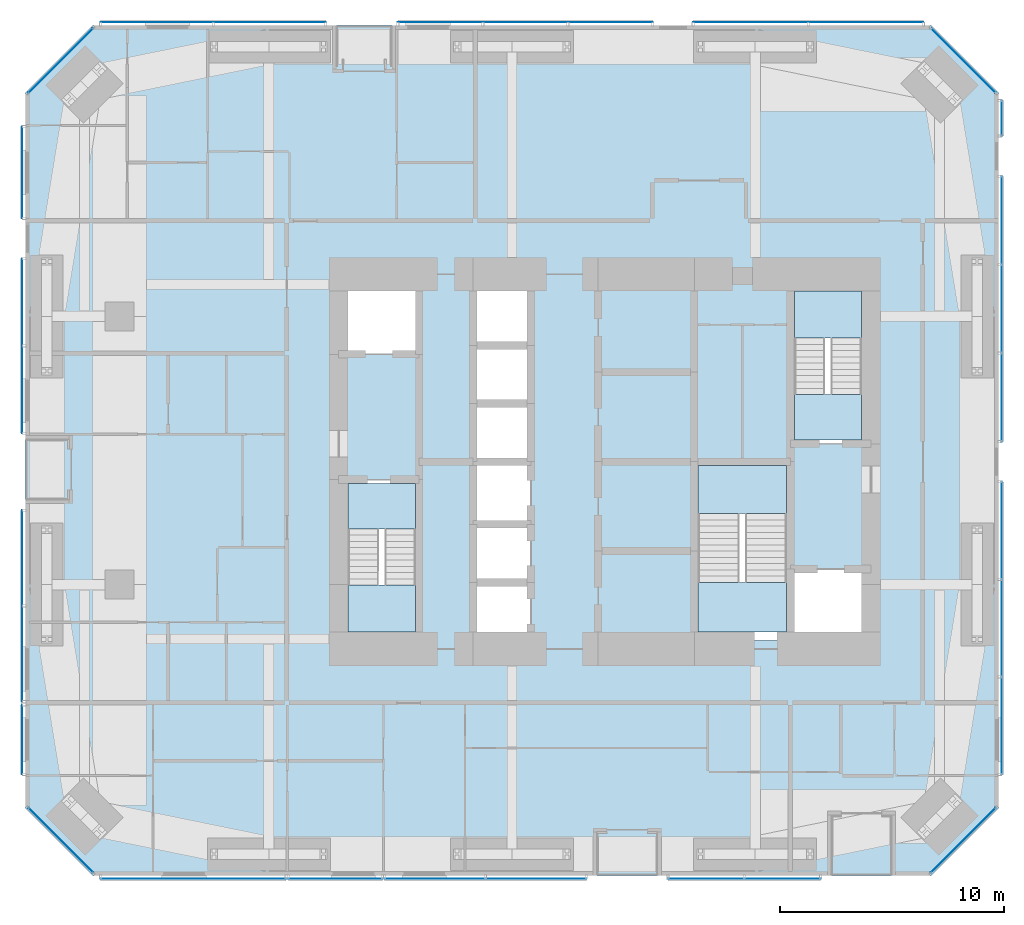
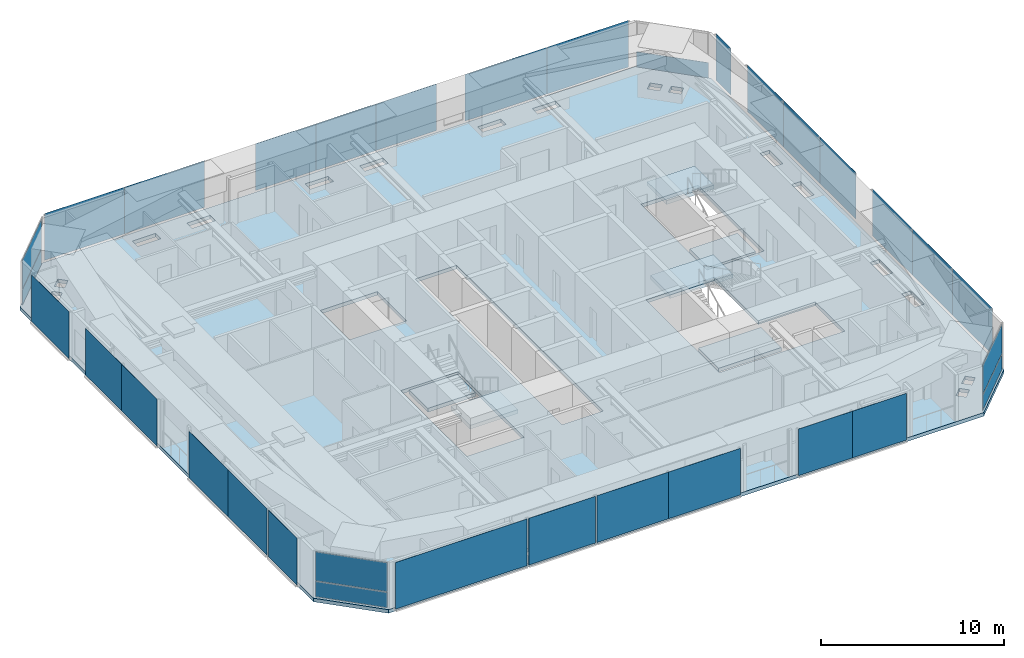
# One storey, part 16 of 24: 33 plates, 7 slabs, 21 elements without a shape of their own.
"""IFC4 building model written with IfcOpenShell, lengths in metres."""

from ifc_helpers import new_model, si_unit, direction, frame, origin, origin_2d, place, context, subcontext, project, spatial, polyline, rectangle, outline, extrude, material, layer, layer_set, type_object, element, aggregate, save


model = new_model("IFC4")

# Units and contexts
model_context = context("Model", 3, precision=1e-05, world=origin(), true_north=direction((0.0, 1.0)))
body_context = subcontext(model_context, "Body", "Model", "MODEL_VIEW")
ifc_project = project(units=[si_unit("LENGTHUNIT", "METRE"), si_unit("AREAUNIT", "SQUARE_METRE"), si_unit("VOLUMEUNIT", "CUBIC_METRE"), si_unit("PLANEANGLEUNIT", "RADIAN"), si_unit("MASSUNIT", "GRAM", prefix="KILO")], contexts=[model_context])

# Site, building, storey
site_placement = place(None, origin())
site = spatial("IfcSite", under=ifc_project, at=site_placement, CompositionType="ELEMENT")
building_placement = place(site_placement, origin())
building = spatial("IfcBuilding", under=site, at=building_placement, Name="Jalousie Tower", CompositionType="ELEMENT")
storey_placement = place(building_placement, frame((0.0, 0.0, 135.0)))
storey = spatial("IfcBuildingStorey", under=building, at=storey_placement, Name="L37", CompositionType="ELEMENT", Elevation=135.0)

# Curtain wall, plates
ifc_material_1 = material(Name="Aluminium curtain wall", Category="aluminium")
curtain_wall_type_1 = type_object("IfcCurtainWallType", Name="CORNER WINDOW WALL", PredefinedType="USERDEFINED", material=ifc_material_1)
curtain_wall_1_placement = place(storey_placement, origin())
curtain_wall_1 = element("IfcCurtainWall", 1, at=curtain_wall_1_placement, inside=storey, type_object=curtain_wall_type_1, Name="Corner Window Wall L37 2", ObjectType="CORNER WINDOW WALL", PredefinedType="USERDEFINED")
ifc_material_2 = material(Name="Laminated impact-rated spandrel glass", Category="glass")
ifc_layer_1 = layer(ifc_material_2, 0.028076171875)
ifc_layer_set_1 = layer_set([ifc_layer_1], Name="Laminated impact-rated spandrel glass")
plate_type_1 = type_object("IfcPlateType", Name="CORNER WINDOW WALL PANEL", PredefinedType="CURTAIN_PANEL", material=ifc_layer_set_1)
plate_1_placement = place(storey_placement, frame((47.9306640625, 1.5693359375, 0.06005859375), z_axis=(0.0, 0.0, 1.0), x_axis=(0.707106781187, 0.707106781187, 0.0)))
plate_1 = element("IfcPlate", 2, at=plate_1_placement, type_object=plate_type_1, Name="CW-C panel 1.1", PredefinedType="CURTAIN_PANEL", context=body_context, shape_type="SweptSolid", body=[
    extrude(rectangle(XDim=4.071533203125, YDim=0.028076171875, at=origin_2d()), origin(), (0.0, 0.0, 1.0), 1.010009765625),
])
plate_2_placement = place(storey_placement, frame((47.9306640625, 1.5693359375, 1.130126953125), z_axis=(0.0, 0.0, 1.0), x_axis=(0.707106781187, 0.707106781187, 0.0)))
plate_2 = element("IfcPlate", 3, at=plate_2_placement, type_object=plate_type_1, Name="CW-C panel 1.2", PredefinedType="CURTAIN_PANEL", context=body_context, shape_type="SweptSolid", body=[
    extrude(rectangle(XDim=4.071533203125, YDim=0.028076171875, at=origin_2d()), origin(), (0.0, 0.0, 1.0), 1.919921875),
])
aggregate(curtain_wall_1, [plate_1, plate_2])

# Curtain wall, plate
curtain_wall_2_placement = place(storey_placement, origin())
curtain_wall_2 = element("IfcCurtainWall", 4, at=curtain_wall_2_placement, inside=storey, type_object=curtain_wall_type_1, Name="Corner Window Wall L37 4", ObjectType="CORNER WINDOW WALL", PredefinedType="USERDEFINED")
plate_3_placement = place(storey_placement, frame((47.9306640625, 36.4306640625, 0.06005859375), z_axis=(0.0, 0.0, 1.0), x_axis=(-0.707106781187, 0.707106781187, 0.0)))
plate_3 = element("IfcPlate", 5, at=plate_3_placement, type_object=plate_type_1, Name="CW-C panel 1.1", PredefinedType="CURTAIN_PANEL", context=body_context, shape_type="SweptSolid", body=[
    extrude(rectangle(XDim=4.071533203125, YDim=0.028076171875, at=origin_2d()), origin(), (0.0, 0.0, 1.0), 1.010009765625),
])
aggregate(curtain_wall_2, [plate_3])

# Curtain wall, plates
curtain_wall_3_placement = place(storey_placement, origin())
curtain_wall_3 = element("IfcCurtainWall", 6, at=curtain_wall_3_placement, inside=storey, type_object=curtain_wall_type_1, Name="Corner Window Wall L37 6", ObjectType="CORNER WINDOW WALL", PredefinedType="USERDEFINED")
plate_4_placement = place(storey_placement, frame((7.5693359375, 36.4306640625, 0.06005859375), z_axis=(0.0, 0.0, 1.0), x_axis=(-0.707106781187, -0.707106781187, 0.0)))
plate_4 = element("IfcPlate", 7, at=plate_4_placement, type_object=plate_type_1, Name="CW-C panel 1.1", PredefinedType="CURTAIN_PANEL", context=body_context, shape_type="SweptSolid", body=[
    extrude(rectangle(XDim=4.071533203125, YDim=0.028076171875, at=origin_2d()), origin(), (0.0, 0.0, 1.0), 1.010009765625),
])
plate_5_placement = place(storey_placement, frame((7.5693359375, 36.4306640625, 1.130126953125), z_axis=(0.0, 0.0, 1.0), x_axis=(-0.707106781187, -0.707106781187, 0.0)))
plate_5 = element("IfcPlate", 8, at=plate_5_placement, type_object=plate_type_1, Name="CW-C panel 1.2", PredefinedType="CURTAIN_PANEL", context=body_context, shape_type="SweptSolid", body=[
    extrude(rectangle(XDim=4.071533203125, YDim=0.028076171875, at=origin_2d()), origin(), (0.0, 0.0, 1.0), 1.919921875),
])
aggregate(curtain_wall_3, [plate_4, plate_5])

curtain_wall_4_placement = place(storey_placement, origin())
curtain_wall_4 = element("IfcCurtainWall", 9, at=curtain_wall_4_placement, inside=storey, type_object=curtain_wall_type_1, Name="Corner Window Wall L37 8", ObjectType="CORNER WINDOW WALL", PredefinedType="USERDEFINED")
plate_6_placement = place(storey_placement, frame((7.5693359375, 1.5693359375, 0.06005859375), z_axis=(0.0, 0.0, 1.0), x_axis=(0.707106781187, -0.707106781187, 0.0)))
plate_6 = element("IfcPlate", 10, at=plate_6_placement, type_object=plate_type_1, Name="CW-C panel 1.1", PredefinedType="CURTAIN_PANEL", context=body_context, shape_type="SweptSolid", body=[
    extrude(rectangle(XDim=4.071533203125, YDim=0.028076171875, at=origin_2d()), origin(), (0.0, 0.0, 1.0), 1.010009765625),
])
plate_7_placement = place(storey_placement, frame((7.5693359375, 1.5693359375, 1.130126953125), z_axis=(0.0, 0.0, 1.0), x_axis=(0.707106781187, -0.707106781187, 0.0)))
plate_7 = element("IfcPlate", 11, at=plate_7_placement, type_object=plate_type_1, Name="CW-C panel 1.2", PredefinedType="CURTAIN_PANEL", context=body_context, shape_type="SweptSolid", body=[
    extrude(rectangle(XDim=4.071533203125, YDim=0.028076171875, at=origin_2d()), origin(), (0.0, 0.0, 1.0), 1.919921875),
])
aggregate(curtain_wall_4, [plate_6, plate_7])

# Slab
ifc_material_3 = material(Name="Concrete f'c 40 MPa", Category="concrete")
ifc_layer_2 = layer(ifc_material_3, 0.239990234375)
ifc_layer_set_2 = layer_set([ifc_layer_2], Name="Concrete f'c 40 MPa")
slab_type_1 = type_object("IfcSlabType", Name="FLOOR SLAB 240", PredefinedType="FLOOR", material=ifc_layer_set_2)
slab_1_placement = place(storey_placement, frame((0.0, 0.0, -0.239990234375)))
element("IfcSlab", 12, at=slab_1_placement, inside=storey, type_object=slab_type_1, Name="L37 floor slab", PredefinedType="FLOOR", context=body_context, shape_type="SweptSolid", body=[
    extrude(outline(polyline([(9.0, 0.0), (46.5, 0.0), (49.5, 3.0), (49.5, 35.0), (46.5, 38.0), (9.0, 38.0), (6.0, 35.0), (6.0, 3.0), (9.0, 0.0)]), holes=[polyline([(14.425048828125, 1.236083984375), (14.484619140625, 1.236083984375), (15.888916015625, 1.236083984375), (15.888916015625, 0.663818359375), (14.484619140625, 0.663818359375), (14.425048828125, 0.663818359375), (14.425048828125, 1.236083984375)]), polyline([(26.763916015625, 1.236083984375), (26.763916015625, 0.663818359375), (25.359619140625, 0.663818359375), (25.300048828125, 0.663818359375), (25.300048828125, 1.236083984375), (25.359619140625, 1.236083984375), (26.763916015625, 1.236083984375)]), polyline([(17.861083984375, 1.236083984375), (19.265380859375, 1.236083984375), (19.324951171875, 1.236083984375), (19.324951171875, 0.663818359375), (19.265380859375, 0.663818359375), (17.861083984375, 0.663818359375), (17.861083984375, 1.236083984375)]), polyline([(9.39453125, 2.27294921875), (9.505615234375, 2.162109375), (9.505615234375, 2.162109375), (9.235595703125, 1.89208984375), (9.1005859375, 1.75732421875), (8.98974609375, 1.868408203125), (8.98974609375, 1.868408203125), (8.604736328125, 2.25341796875), (9.009521484375, 2.658203125), (9.39453125, 2.27294921875)]), polyline([(7.75732421875, 3.1005859375), (8.162109375, 3.505615234375), (8.658203125, 3.009521484375), (8.25341796875, 2.604736328125), (7.75732421875, 3.1005859375)]), polyline([(7.236083984375, 10.550048828125), (6.663818359375, 10.550048828125), (6.663818359375, 10.609619140625), (6.663818359375, 12.013916015625), (7.236083984375, 12.013916015625), (7.236083984375, 10.609619140625), (7.236083984375, 10.550048828125)]), polyline([(26.0, 10.5), (26.0, 26.5), (28.60009765625, 26.5), (28.60009765625, 10.5), (26.0, 10.5)]), polyline([(20.0, 10.5), (23.60009765625, 10.5), (23.60009765625, 17.699951171875), (20.0, 17.699951171875), (20.0, 10.5)]), polyline([(7.236083984375, 15.390380859375), (7.236083984375, 13.986083984375), (6.663818359375, 13.986083984375), (6.663818359375, 15.390380859375), (6.663818359375, 15.449951171875), (7.236083984375, 15.449951171875), (7.236083984375, 15.390380859375)]), polyline([(6.663818359375, 24.013916015625), (7.236083984375, 24.013916015625), (7.236083984375, 22.609619140625), (7.236083984375, 22.550048828125), (6.663818359375, 22.550048828125), (6.663818359375, 22.609619140625), (6.663818359375, 24.013916015625)]), polyline([(20.0, 23.300048828125), (23.60009765625, 23.300048828125), (23.60009765625, 26.5), (20.0, 26.5), (20.0, 23.300048828125)]), polyline([(7.236083984375, 25.986083984375), (6.663818359375, 25.986083984375), (6.663818359375, 27.390380859375), (6.663818359375, 27.449951171875), (7.236083984375, 27.449951171875), (7.236083984375, 27.390380859375), (7.236083984375, 25.986083984375)]), polyline([(7.75732421875, 34.8994140625), (7.75732421875, 34.8994140625), (8.25341796875, 35.395263671875), (8.658203125, 34.990478515625), (8.162109375, 34.494384765625), (7.959716796875, 34.697021484375), (7.75732421875, 34.8994140625), (7.75732421875, 34.8994140625)]), polyline([(8.604736328125, 35.74658203125), (9.1005859375, 36.24267578125), (9.505615234375, 35.837890625), (9.39453125, 35.72705078125), (9.009521484375, 35.341796875), (8.604736328125, 35.74658203125)]), polyline([(26.763916015625, 36.763916015625), (25.359619140625, 36.763916015625), (25.300048828125, 36.763916015625), (25.300048828125, 37.336181640625), (25.359619140625, 37.336181640625), (26.763916015625, 37.336181640625), (26.763916015625, 36.763916015625)]), polyline([(19.324951171875, 37.336181640625), (19.324951171875, 36.763916015625), (19.265380859375, 36.763916015625), (17.861083984375, 36.763916015625), (17.861083984375, 37.336181640625), (19.265380859375, 37.336181640625), (19.324951171875, 37.336181640625)]), polyline([(14.425048828125, 36.763916015625), (14.425048828125, 37.336181640625), (14.484619140625, 37.336181640625), (15.888916015625, 37.336181640625), (15.888916015625, 36.763916015625), (14.484619140625, 36.763916015625), (14.425048828125, 36.763916015625)]), polyline([(28.736083984375, 0.663818359375), (28.736083984375, 1.236083984375), (30.140380859375, 1.236083984375), (30.199951171875, 1.236083984375), (30.199951171875, 0.663818359375), (30.140380859375, 0.663818359375), (28.736083984375, 0.663818359375)]), polyline([(36.234619140625, 0.663818359375), (36.175048828125, 0.663818359375), (36.175048828125, 1.236083984375), (36.234619140625, 1.236083984375), (37.638916015625, 1.236083984375), (37.638916015625, 0.663818359375), (36.234619140625, 0.663818359375)]), polyline([(41.015380859375, 1.236083984375), (41.074951171875, 1.236083984375), (41.074951171875, 0.663818359375), (41.015380859375, 0.663818359375), (39.611083984375, 0.663818359375), (39.611083984375, 1.236083984375), (41.015380859375, 1.236083984375)]), polyline([(46.895263671875, 2.25341796875), (46.3994140625, 1.75732421875), (46.3994140625, 1.75732421875), (46.3994140625, 1.75732421875), (46.197021484375, 1.959716796875), (45.994384765625, 2.162109375), (46.490478515625, 2.658203125), (46.895263671875, 2.25341796875)]), polyline([(47.22705078125, 3.39453125), (47.22705078125, 3.39453125), (47.337890625, 3.505615234375), (47.540283203125, 3.302978515625), (47.74267578125, 3.1005859375), (47.74267578125, 3.1005859375), (47.631591796875, 2.98974609375), (47.24658203125, 2.604736328125), (46.841796875, 3.009521484375), (47.22705078125, 3.39453125)]), polyline([(48.836181640625, 10.550048828125), (48.263916015625, 10.550048828125), (48.263916015625, 10.609619140625), (48.263916015625, 12.013916015625), (48.836181640625, 12.013916015625), (48.836181640625, 10.609619140625), (48.836181640625, 10.550048828125)]), polyline([(35.89990234375, 18.5), (40.199951171875, 18.5), (40.199951171875, 13.699951171875), (43.800048828125, 13.699951171875), (43.800048828125, 10.5), (35.89990234375, 10.5), (35.89990234375, 18.5)]), polyline([(48.836181640625, 13.986083984375), (48.263916015625, 13.986083984375), (48.263916015625, 15.390380859375), (48.263916015625, 15.449951171875), (48.836181640625, 15.449951171875), (48.836181640625, 15.390380859375), (48.836181640625, 13.986083984375)]), polyline([(40.199951171875, 19.300048828125), (43.800048828125, 19.300048828125), (43.800048828125, 26.5), (40.199951171875, 26.5), (40.199951171875, 19.300048828125)]), polyline([(48.836181640625, 22.550048828125), (48.263916015625, 22.550048828125), (48.263916015625, 22.609619140625), (48.263916015625, 24.013916015625), (48.836181640625, 24.013916015625), (48.836181640625, 22.609619140625), (48.836181640625, 22.550048828125)]), polyline([(48.836181640625, 27.390380859375), (48.836181640625, 25.986083984375), (48.263916015625, 25.986083984375), (48.263916015625, 27.390380859375), (48.263916015625, 27.449951171875), (48.836181640625, 27.449951171875), (48.836181640625, 27.390380859375)]), polyline([(47.24658203125, 35.395263671875), (47.631591796875, 35.01025390625), (47.74267578125, 34.8994140625), (47.337890625, 34.494384765625), (46.841796875, 34.990478515625), (47.24658203125, 35.395263671875)]), polyline([(46.490478515625, 35.341796875), (45.994384765625, 35.837890625), (46.3994140625, 36.24267578125), (46.51025390625, 36.131591796875), (46.895263671875, 35.74658203125), (46.490478515625, 35.341796875)]), polyline([(41.015380859375, 37.336181640625), (41.074951171875, 37.336181640625), (41.074951171875, 36.763916015625), (41.015380859375, 36.763916015625), (39.611083984375, 36.763916015625), (39.611083984375, 37.336181640625), (41.015380859375, 37.336181640625)]), polyline([(37.638916015625, 37.336181640625), (37.638916015625, 36.763916015625), (36.234619140625, 36.763916015625), (36.175048828125, 36.763916015625), (36.175048828125, 37.336181640625), (36.234619140625, 37.336181640625), (37.638916015625, 37.336181640625)]), polyline([(28.736083984375, 37.336181640625), (30.140380859375, 37.336181640625), (30.199951171875, 37.336181640625), (30.199951171875, 36.763916015625), (30.140380859375, 36.763916015625), (28.736083984375, 36.763916015625), (28.736083984375, 37.336181640625)])]), origin(), (0.0, 0.0, 1.0), 0.239990234375),
])

# Curtain wall, plate
ifc_material_4 = material(Name="Perforated aluminium sheet", Category="aluminium")
curtain_wall_type_2 = type_object("IfcCurtainWallType", Name="SOLAR SCREEN SS-1", PredefinedType="USERDEFINED", material=ifc_material_4)
curtain_wall_5_placement = place(storey_placement, origin())
curtain_wall_5 = element("IfcCurtainWall", 13, at=curtain_wall_5_placement, inside=storey, type_object=curtain_wall_type_2, Name="Solar screen L37", ObjectType="SOLAR SCREEN SS-1", PredefinedType="USERDEFINED")
ifc_material_5 = material(Name="Perforated aluminium sheet", Category="aluminium")
ifc_layer_3 = layer(ifc_material_5, 0.006103515625)
ifc_layer_set_3 = layer_set([ifc_layer_3], Name="Perforated aluminium sheet")
plate_type_2 = type_object("IfcPlateType", Name="SOLAR SCREEN SS-1 PANEL", PredefinedType="CURTAIN_PANEL", material=ifc_layer_set_3)
plate_8_placement = place(storey_placement, frame((13.500732421875, -0.150390625, 0.0), z_axis=(0.0, 0.0, 1.0), x_axis=(1.0, 0.0, 0.0)))
plate_8 = element("IfcPlate", 14, at=plate_8_placement, type_object=plate_type_2, Name="SS1 perforated panel 1", PredefinedType="CURTAIN_PANEL", context=body_context, shape_type="SweptSolid", body=[
    extrude(rectangle(XDim=8.298583984375, YDim=0.006103515625, at=origin_2d()), origin(), (0.0, 0.0, 1.0), 3.110107421875),
])
aggregate(curtain_wall_5, [plate_8])

curtain_wall_6_placement = place(storey_placement, origin())
curtain_wall_6 = element("IfcCurtainWall", 15, at=curtain_wall_6_placement, inside=storey, type_object=curtain_wall_type_2, Name="Solar screen L37", ObjectType="SOLAR SCREEN SS-1", PredefinedType="USERDEFINED")
plate_9_placement = place(storey_placement, frame((19.85009765625, -0.150390625, 0.0), z_axis=(0.0, 0.0, 1.0), x_axis=(1.0, 0.0, 0.0)))
plate_9 = element("IfcPlate", 16, at=plate_9_placement, type_object=plate_type_2, Name="SS1 perforated panel 1", PredefinedType="CURTAIN_PANEL", context=body_context, shape_type="SweptSolid", body=[
    extrude(rectangle(XDim=4.199951171875, YDim=0.006103515625, at=origin_2d()), origin(), (0.0, 0.0, 1.0), 3.110107421875),
])
aggregate(curtain_wall_6, [plate_9])

# Curtain wall, plates
curtain_wall_7_placement = place(storey_placement, origin())
curtain_wall_7 = element("IfcCurtainWall", 17, at=curtain_wall_7_placement, inside=storey, type_object=curtain_wall_type_2, Name="Solar screen L37", ObjectType="SOLAR SCREEN SS-1", PredefinedType="USERDEFINED")
plate_10_placement = place(storey_placement, frame((24.30615234375, -0.150390625, 0.0), z_axis=(0.0, 0.0, 1.0), x_axis=(1.0, 0.0, 0.0)))
plate_10 = element("IfcPlate", 18, at=plate_10_placement, type_object=plate_type_2, Name="SS1 perforated panel 1", PredefinedType="CURTAIN_PANEL", context=body_context, shape_type="SweptSolid", body=[
    extrude(rectangle(XDim=4.512451171875, YDim=0.006103515625, at=origin_2d()), origin(), (0.0, 0.0, 1.0), 3.110107421875),
])
plate_11_placement = place(storey_placement, frame((28.81884765625, -0.150390625, 0.0), z_axis=(0.0, 0.0, 1.0), x_axis=(1.0, 0.0, 0.0)))
plate_11 = element("IfcPlate", 19, at=plate_11_placement, type_object=plate_type_2, Name="SS1 perforated panel 2", PredefinedType="CURTAIN_PANEL", context=body_context, shape_type="SweptSolid", body=[
    extrude(rectangle(XDim=4.512451171875, YDim=0.006103515625, at=origin_2d()), origin(), (0.0, 0.0, 1.0), 3.110107421875),
])
aggregate(curtain_wall_7, [plate_10, plate_11])

curtain_wall_8_placement = place(storey_placement, origin())
curtain_wall_8 = element("IfcCurtainWall", 20, at=curtain_wall_8_placement, inside=storey, type_object=curtain_wall_type_2, Name="Solar screen L37", ObjectType="SOLAR SCREEN SS-1", PredefinedType="USERDEFINED")
plate_12_placement = place(storey_placement, frame((36.43115234375, -0.150390625, 0.0), z_axis=(0.0, 0.0, 1.0), x_axis=(1.0, 0.0, 0.0)))
plate_12 = element("IfcPlate", 21, at=plate_12_placement, type_object=plate_type_2, Name="SS1 perforated panel 1", PredefinedType="CURTAIN_PANEL", context=body_context, shape_type="SweptSolid", body=[
    extrude(rectangle(XDim=3.41259765625, YDim=0.006103515625, at=origin_2d()), origin(), (0.0, 0.0, 1.0), 3.110107421875),
])
plate_13_placement = place(storey_placement, frame((39.84375, -0.150390625, 0.0), z_axis=(0.0, 0.0, 1.0), x_axis=(1.0, 0.0, 0.0)))
plate_13 = element("IfcPlate", 22, at=plate_13_placement, type_object=plate_type_2, Name="SS1 perforated panel 2", PredefinedType="CURTAIN_PANEL", context=body_context, shape_type="SweptSolid", body=[
    extrude(rectangle(XDim=3.41259765625, YDim=0.006103515625, at=origin_2d()), origin(), (0.0, 0.0, 1.0), 3.110107421875),
])
aggregate(curtain_wall_8, [plate_12, plate_13])

curtain_wall_9_placement = place(storey_placement, origin())
curtain_wall_9 = element("IfcCurtainWall", 23, at=curtain_wall_9_placement, inside=storey, type_object=curtain_wall_type_2, Name="Solar screen L37", ObjectType="SOLAR SCREEN SS-1", PredefinedType="USERDEFINED")
plate_14_placement = place(storey_placement, frame((49.650390625, 6.69482421875, 0.0), z_axis=(0.0, 0.0, 1.0), x_axis=(0.0, 1.0, 0.0)))
plate_14 = element("IfcPlate", 24, at=plate_14_placement, type_object=plate_type_2, Name="SS1 perforated panel 1", PredefinedType="CURTAIN_PANEL", context=body_context, shape_type="SweptSolid", body=[
    extrude(rectangle(XDim=4.362060546875, YDim=0.006103515625, at=origin_2d()), origin(), (0.0, 0.0, 1.0), 3.110107421875),
])
plate_15_placement = place(storey_placement, frame((49.650390625, 11.056884765625, 0.0), z_axis=(0.0, 0.0, 1.0), x_axis=(0.0, 1.0, 0.0)))
plate_15 = element("IfcPlate", 25, at=plate_15_placement, type_object=plate_type_2, Name="SS1 perforated panel 2", PredefinedType="CURTAIN_PANEL", context=body_context, shape_type="SweptSolid", body=[
    extrude(rectangle(XDim=4.362060546875, YDim=0.006103515625, at=origin_2d()), origin(), (0.0, 0.0, 1.0), 3.110107421875),
])
plate_16_placement = place(storey_placement, frame((49.650390625, 15.4189453125, 0.0), z_axis=(0.0, 0.0, 1.0), x_axis=(0.0, 1.0, 0.0)))
plate_16 = element("IfcPlate", 26, at=plate_16_placement, type_object=plate_type_2, Name="SS1 perforated panel 3", PredefinedType="CURTAIN_PANEL", context=body_context, shape_type="SweptSolid", body=[
    extrude(rectangle(XDim=4.362060546875, YDim=0.006103515625, at=origin_2d()), origin(), (0.0, 0.0, 1.0), 3.110107421875),
])
aggregate(curtain_wall_9, [plate_14, plate_15, plate_16])

curtain_wall_10_placement = place(storey_placement, origin())
curtain_wall_10 = element("IfcCurtainWall", 27, at=curtain_wall_10_placement, inside=storey, type_object=curtain_wall_type_2, Name="Solar screen L37", ObjectType="SOLAR SCREEN SS-1", PredefinedType="USERDEFINED")
plate_17_placement = place(storey_placement, frame((49.650390625, 21.376953125, 0.0), z_axis=(0.0, 0.0, 1.0), x_axis=(0.0, 1.0, 0.0)))
plate_17 = element("IfcPlate", 28, at=plate_17_placement, type_object=plate_type_2, Name="SS1 perforated panel 1", PredefinedType="CURTAIN_PANEL", context=body_context, shape_type="SweptSolid", body=[
    extrude(rectangle(XDim=3.9541015625, YDim=0.006103515625, at=origin_2d()), origin(), (0.0, 0.0, 1.0), 3.110107421875),
])
plate_18_placement = place(storey_placement, frame((49.650390625, 25.3310546875, 0.0), z_axis=(0.0, 0.0, 1.0), x_axis=(0.0, 1.0, 0.0)))
plate_18 = element("IfcPlate", 29, at=plate_18_placement, type_object=plate_type_2, Name="SS1 perforated panel 2", PredefinedType="CURTAIN_PANEL", context=body_context, shape_type="SweptSolid", body=[
    extrude(rectangle(XDim=3.9541015625, YDim=0.006103515625, at=origin_2d()), origin(), (0.0, 0.0, 1.0), 3.110107421875),
])
plate_19_placement = place(storey_placement, frame((49.650390625, 29.284912109375, 0.0), z_axis=(0.0, 0.0, 1.0), x_axis=(0.0, 1.0, 0.0)))
plate_19 = element("IfcPlate", 30, at=plate_19_placement, type_object=plate_type_2, Name="SS1 perforated panel 3", PredefinedType="CURTAIN_PANEL", context=body_context, shape_type="SweptSolid", body=[
    extrude(rectangle(XDim=3.9541015625, YDim=0.006103515625, at=origin_2d()), origin(), (0.0, 0.0, 1.0), 3.110107421875),
])
aggregate(curtain_wall_10, [plate_17, plate_18, plate_19])

# Curtain wall, plate
curtain_wall_11_placement = place(storey_placement, origin())
curtain_wall_11 = element("IfcCurtainWall", 31, at=curtain_wall_11_placement, inside=storey, type_object=curtain_wall_type_2, Name="Solar screen L37", ObjectType="SOLAR SCREEN SS-1", PredefinedType="USERDEFINED")
plate_20_placement = place(storey_placement, frame((49.650390625, 33.855224609375, 0.0), z_axis=(0.0, 0.0, 1.0), x_axis=(0.0, 1.0, 0.0)))
plate_20 = element("IfcPlate", 32, at=plate_20_placement, type_object=plate_type_2, Name="SS1 perforated panel 1", PredefinedType="CURTAIN_PANEL", context=body_context, shape_type="SweptSolid", body=[
    extrude(rectangle(XDim=1.5869140625, YDim=0.006103515625, at=origin_2d()), origin(), (0.0, 0.0, 1.0), 3.110107421875),
])
aggregate(curtain_wall_11, [plate_20])

# Curtain wall, plates
curtain_wall_12_placement = place(storey_placement, origin())
curtain_wall_12 = element("IfcCurtainWall", 33, at=curtain_wall_12_placement, inside=storey, type_object=curtain_wall_type_2, Name="Solar screen L37", ObjectType="SOLAR SCREEN SS-1", PredefinedType="USERDEFINED")
plate_21_placement = place(storey_placement, frame((43.573486328125, 38.150390625, 0.0), z_axis=(0.0, 0.0, 1.0), x_axis=(-1.0, 0.0, 0.0)))
plate_21 = element("IfcPlate", 34, at=plate_21_placement, type_object=plate_type_2, Name="SS1 perforated panel 1", PredefinedType="CURTAIN_PANEL", context=body_context, shape_type="SweptSolid", body=[
    extrude(rectangle(XDim=5.150146484375, YDim=0.006103515625, at=origin_2d()), origin(), (0.0, 0.0, 1.0), 3.110107421875),
])
plate_22_placement = place(storey_placement, frame((38.42333984375, 38.150390625, 0.0), z_axis=(0.0, 0.0, 1.0), x_axis=(-1.0, 0.0, 0.0)))
plate_22 = element("IfcPlate", 35, at=plate_22_placement, type_object=plate_type_2, Name="SS1 perforated panel 2", PredefinedType="CURTAIN_PANEL", context=body_context, shape_type="SweptSolid", body=[
    extrude(rectangle(XDim=5.150146484375, YDim=0.006103515625, at=origin_2d()), origin(), (0.0, 0.0, 1.0), 3.110107421875),
])
aggregate(curtain_wall_12, [plate_21, plate_22])

curtain_wall_13_placement = place(storey_placement, origin())
curtain_wall_13 = element("IfcCurtainWall", 36, at=curtain_wall_13_placement, inside=storey, type_object=curtain_wall_type_2, Name="Solar screen L37", ObjectType="SOLAR SCREEN SS-1", PredefinedType="USERDEFINED")
plate_23_placement = place(storey_placement, frame((32.1484375, 38.150390625, 0.0), z_axis=(0.0, 0.0, 1.0), x_axis=(-1.0, 0.0, 0.0)))
plate_23 = element("IfcPlate", 37, at=plate_23_placement, type_object=plate_type_2, Name="SS1 perforated panel 1", PredefinedType="CURTAIN_PANEL", context=body_context, shape_type="SweptSolid", body=[
    extrude(rectangle(XDim=3.79931640625, YDim=0.006103515625, at=origin_2d()), origin(), (0.0, 0.0, 1.0), 3.110107421875),
])
plate_24_placement = place(storey_placement, frame((28.34912109375, 38.150390625, 0.0), z_axis=(0.0, 0.0, 1.0), x_axis=(-1.0, 0.0, 0.0)))
plate_24 = element("IfcPlate", 38, at=plate_24_placement, type_object=plate_type_2, Name="SS1 perforated panel 2", PredefinedType="CURTAIN_PANEL", context=body_context, shape_type="SweptSolid", body=[
    extrude(rectangle(XDim=3.79931640625, YDim=0.006103515625, at=origin_2d()), origin(), (0.0, 0.0, 1.0), 3.110107421875),
])
plate_25_placement = place(storey_placement, frame((24.5498046875, 38.150390625, 0.0), z_axis=(0.0, 0.0, 1.0), x_axis=(-1.0, 0.0, 0.0)))
plate_25 = element("IfcPlate", 39, at=plate_25_placement, type_object=plate_type_2, Name="SS1 perforated panel 3", PredefinedType="CURTAIN_PANEL", context=body_context, shape_type="SweptSolid", body=[
    extrude(rectangle(XDim=3.79931640625, YDim=0.006103515625, at=origin_2d()), origin(), (0.0, 0.0, 1.0), 3.110107421875),
])
aggregate(curtain_wall_13, [plate_23, plate_24, plate_25])

curtain_wall_14_placement = place(storey_placement, origin())
curtain_wall_14 = element("IfcCurtainWall", 40, at=curtain_wall_14_placement, inside=storey, type_object=curtain_wall_type_2, Name="Solar screen L37", ObjectType="SOLAR SCREEN SS-1", PredefinedType="USERDEFINED")
plate_26_placement = place(storey_placement, frame((16.906494140625, 38.150390625, 0.0), z_axis=(0.0, 0.0, 1.0), x_axis=(-1.0, 0.0, 0.0)))
plate_26 = element("IfcPlate", 41, at=plate_26_placement, type_object=plate_type_2, Name="SS1 perforated panel 1", PredefinedType="CURTAIN_PANEL", context=body_context, shape_type="SweptSolid", body=[
    extrude(rectangle(XDim=5.036865234375, YDim=0.006103515625, at=origin_2d()), origin(), (0.0, 0.0, 1.0), 3.110107421875),
])
plate_27_placement = place(storey_placement, frame((11.86962890625, 38.150390625, 0.0), z_axis=(0.0, 0.0, 1.0), x_axis=(-1.0, 0.0, 0.0)))
plate_27 = element("IfcPlate", 42, at=plate_27_placement, type_object=plate_type_2, Name="SS1 perforated panel 2", PredefinedType="CURTAIN_PANEL", context=body_context, shape_type="SweptSolid", body=[
    extrude(rectangle(XDim=5.036865234375, YDim=0.006103515625, at=origin_2d()), origin(), (0.0, 0.0, 1.0), 3.110107421875),
])
aggregate(curtain_wall_14, [plate_26, plate_27])

# Curtain wall, plate
curtain_wall_15_placement = place(storey_placement, origin())
curtain_wall_15 = element("IfcCurtainWall", 43, at=curtain_wall_15_placement, inside=storey, type_object=curtain_wall_type_2, Name="Solar screen L37", ObjectType="SOLAR SCREEN SS-1", PredefinedType="USERDEFINED")
plate_28_placement = place(storey_placement, frame((5.849609375, 31.4306640625, 0.0), z_axis=(0.0, 0.0, 1.0), x_axis=(0.0, -1.0, 0.0)))
plate_28 = element("IfcPlate", 44, at=plate_28_placement, type_object=plate_type_2, Name="SS1 perforated panel 1", PredefinedType="CURTAIN_PANEL", context=body_context, shape_type="SweptSolid", body=[
    extrude(rectangle(XDim=4.111083984375, YDim=0.006103515625, at=origin_2d()), origin(), (0.0, 0.0, 1.0), 3.110107421875),
])
aggregate(curtain_wall_15, [plate_28])

# Curtain wall, plates
curtain_wall_16_placement = place(storey_placement, origin())
curtain_wall_16 = element("IfcCurtainWall", 45, at=curtain_wall_16_placement, inside=storey, type_object=curtain_wall_type_2, Name="Solar screen L37", ObjectType="SOLAR SCREEN SS-1", PredefinedType="USERDEFINED")
plate_29_placement = place(storey_placement, frame((5.849609375, 25.624755859375, 0.0), z_axis=(0.0, 0.0, 1.0), x_axis=(0.0, -1.0, 0.0)))
plate_29 = element("IfcPlate", 46, at=plate_29_placement, type_object=plate_type_2, Name="SS1 perforated panel 1", PredefinedType="CURTAIN_PANEL", context=body_context, shape_type="SweptSolid", body=[
    extrude(rectangle(XDim=3.89990234375, YDim=0.006103515625, at=origin_2d()), origin(), (0.0, 0.0, 1.0), 3.110107421875),
])
plate_30_placement = place(storey_placement, frame((5.849609375, 21.724853515625, 0.0), z_axis=(0.0, 0.0, 1.0), x_axis=(0.0, -1.0, 0.0)))
plate_30 = element("IfcPlate", 47, at=plate_30_placement, type_object=plate_type_2, Name="SS1 perforated panel 2", PredefinedType="CURTAIN_PANEL", context=body_context, shape_type="SweptSolid", body=[
    extrude(rectangle(XDim=3.89990234375, YDim=0.006103515625, at=origin_2d()), origin(), (0.0, 0.0, 1.0), 3.110107421875),
])
aggregate(curtain_wall_16, [plate_29, plate_30])

curtain_wall_17_placement = place(storey_placement, origin())
curtain_wall_17 = element("IfcCurtainWall", 48, at=curtain_wall_17_placement, inside=storey, type_object=curtain_wall_type_2, Name="Solar screen L37", ObjectType="SOLAR SCREEN SS-1", PredefinedType="USERDEFINED")
plate_31_placement = place(storey_placement, frame((5.849609375, 14.1875, 0.0), z_axis=(0.0, 0.0, 1.0), x_axis=(0.0, -1.0, 0.0)))
plate_31 = element("IfcPlate", 49, at=plate_31_placement, type_object=plate_type_2, Name="SS1 perforated panel 1", PredefinedType="CURTAIN_PANEL", context=body_context, shape_type="SweptSolid", body=[
    extrude(rectangle(XDim=4.27490234375, YDim=0.006103515625, at=origin_2d()), origin(), (0.0, 0.0, 1.0), 3.110107421875),
])
plate_32_placement = place(storey_placement, frame((5.849609375, 9.91259765625, 0.0), z_axis=(0.0, 0.0, 1.0), x_axis=(0.0, -1.0, 0.0)))
plate_32 = element("IfcPlate", 50, at=plate_32_placement, type_object=plate_type_2, Name="SS1 perforated panel 2", PredefinedType="CURTAIN_PANEL", context=body_context, shape_type="SweptSolid", body=[
    extrude(rectangle(XDim=4.27490234375, YDim=0.006103515625, at=origin_2d()), origin(), (0.0, 0.0, 1.0), 3.110107421875),
])
aggregate(curtain_wall_17, [plate_31, plate_32])

# Curtain wall, plate
curtain_wall_18_placement = place(storey_placement, origin())
curtain_wall_18 = element("IfcCurtainWall", 51, at=curtain_wall_18_placement, inside=storey, type_object=curtain_wall_type_2, Name="Solar screen L37", ObjectType="SOLAR SCREEN SS-1", PredefinedType="USERDEFINED")
plate_33_placement = place(storey_placement, frame((5.849609375, 6.0693359375, 0.0), z_axis=(0.0, 0.0, 1.0), x_axis=(0.0, -1.0, 0.0)))
plate_33 = element("IfcPlate", 52, at=plate_33_placement, type_object=plate_type_2, Name="SS1 perforated panel 1", PredefinedType="CURTAIN_PANEL", context=body_context, shape_type="SweptSolid", body=[
    extrude(rectangle(XDim=3.111083984375, YDim=0.006103515625, at=origin_2d()), origin(), (0.0, 0.0, 1.0), 3.110107421875),
])
aggregate(curtain_wall_18, [plate_33])

# Stair, slabs
ifc_material_6 = material(Name="Concrete f'c 40 MPa", Category="concrete")
stair_type = type_object("IfcStairType", Name="EXIT STAIR", PredefinedType="HALF_TURN_STAIR", material=ifc_material_6)
stair_1_placement = place(storey_placement, origin())
stair_1 = element("IfcStair", 53, at=stair_1_placement, inside=storey, type_object=stair_type, Name="Exit stair A L37", PredefinedType="HALF_TURN_STAIR")
ifc_material_7 = material(Name="Concrete f'c 40 MPa", Category="concrete")
ifc_layer_4 = layer(ifc_material_7, 0.25)
ifc_layer_set_4 = layer_set([ifc_layer_4], Name="Concrete f'c 40 MPa")
slab_type_2 = type_object("IfcSlabType", Name="STAIR LANDING 250", PredefinedType="LANDING", material=ifc_layer_set_4)
slab_2_placement = place(storey_placement, frame((0.0, 0.0, -0.25)))
slab_2 = element("IfcSlab", 54, at=slab_2_placement, type_object=slab_type_2, Name="ST-A landing 1", PredefinedType="LANDING", context=body_context, shape_type="SweptSolid", body=[
    extrude(outline(polyline([(20.425048828125, 15.49755859375), (23.425048828125, 15.49755859375), (23.425048828125, 17.52490234375), (20.425048828125, 17.52490234375), (20.425048828125, 15.49755859375)])), origin(), (0.0, 0.0, 1.0), 0.25),
])
slab_3_placement = place(storey_placement, frame((0.0, 0.0, 1.425048828125)))
slab_3 = element("IfcSlab", 55, at=slab_3_placement, type_object=slab_type_2, Name="ST-A landing 2", PredefinedType="LANDING", context=body_context, shape_type="SweptSolid", body=[
    extrude(outline(polyline([(20.425048828125, 10.875), (23.425048828125, 10.875), (23.425048828125, 12.9775390625), (20.425048828125, 12.9775390625), (20.425048828125, 10.875)])), origin(), (0.0, 0.0, 1.0), 0.25),
])
aggregate(stair_1, [slab_2, slab_3])

stair_2_placement = place(storey_placement, origin())
stair_2 = element("IfcStair", 56, at=stair_2_placement, inside=storey, type_object=stair_type, Name="Exit stair B L37", PredefinedType="HALF_TURN_STAIR")
slab_4_placement = place(storey_placement, frame((0.0, 0.0, -0.25)))
slab_4 = element("IfcSlab", 57, at=slab_4_placement, type_object=slab_type_2, Name="ST-B landing 1", PredefinedType="LANDING", context=body_context, shape_type="SweptSolid", body=[
    extrude(outline(polyline([(40.375, 19.47509765625), (43.375, 19.47509765625), (43.375, 21.50244140625), (40.375, 21.50244140625), (40.375, 19.47509765625)])), origin(), (0.0, 0.0, 1.0), 0.25),
])
slab_5_placement = place(storey_placement, frame((0.0, 0.0, 1.425048828125)))
slab_5 = element("IfcSlab", 58, at=slab_5_placement, type_object=slab_type_2, Name="ST-B landing 2", PredefinedType="LANDING", context=body_context, shape_type="SweptSolid", body=[
    extrude(outline(polyline([(40.375, 24.0224609375), (43.375, 24.0224609375), (43.375, 26.125), (40.375, 26.125), (40.375, 24.0224609375)])), origin(), (0.0, 0.0, 1.0), 0.25),
])
aggregate(stair_2, [slab_4, slab_5])

stair_3_placement = place(storey_placement, origin())
stair_3 = element("IfcStair", 59, at=stair_3_placement, inside=storey, type_object=stair_type, Name="Exit stair C L37", PredefinedType="HALF_TURN_STAIR")
slab_6_placement = place(storey_placement, frame((0.0, 0.0, -0.25)))
slab_6 = element("IfcSlab", 60, at=slab_6_placement, type_object=slab_type_2, Name="ST-C landing 1", PredefinedType="LANDING", context=body_context, shape_type="SweptSolid", body=[
    extrude(outline(polyline([(36.074951171875, 10.875), (40.02490234375, 10.875), (40.02490234375, 13.097412109375), (36.074951171875, 13.097412109375), (36.074951171875, 10.875)])), origin(), (0.0, 0.0, 1.0), 0.25),
])
slab_7_placement = place(storey_placement, frame((0.0, 0.0, 1.425048828125)))
slab_7 = element("IfcSlab", 61, at=slab_7_placement, type_object=slab_type_2, Name="ST-C landing 2", PredefinedType="LANDING", context=body_context, shape_type="SweptSolid", body=[
    extrude(outline(polyline([(36.074951171875, 16.177490234375), (40.02490234375, 16.177490234375), (40.02490234375, 18.324951171875), (36.074951171875, 18.324951171875), (36.074951171875, 16.177490234375)])), origin(), (0.0, 0.0, 1.0), 0.25),
])
aggregate(stair_3, [slab_6, slab_7])

save(model, "model.ifc")
